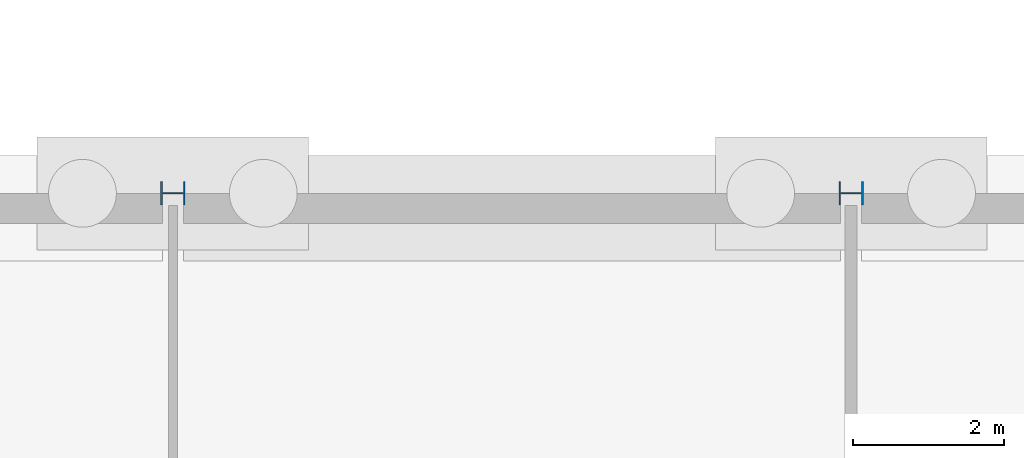
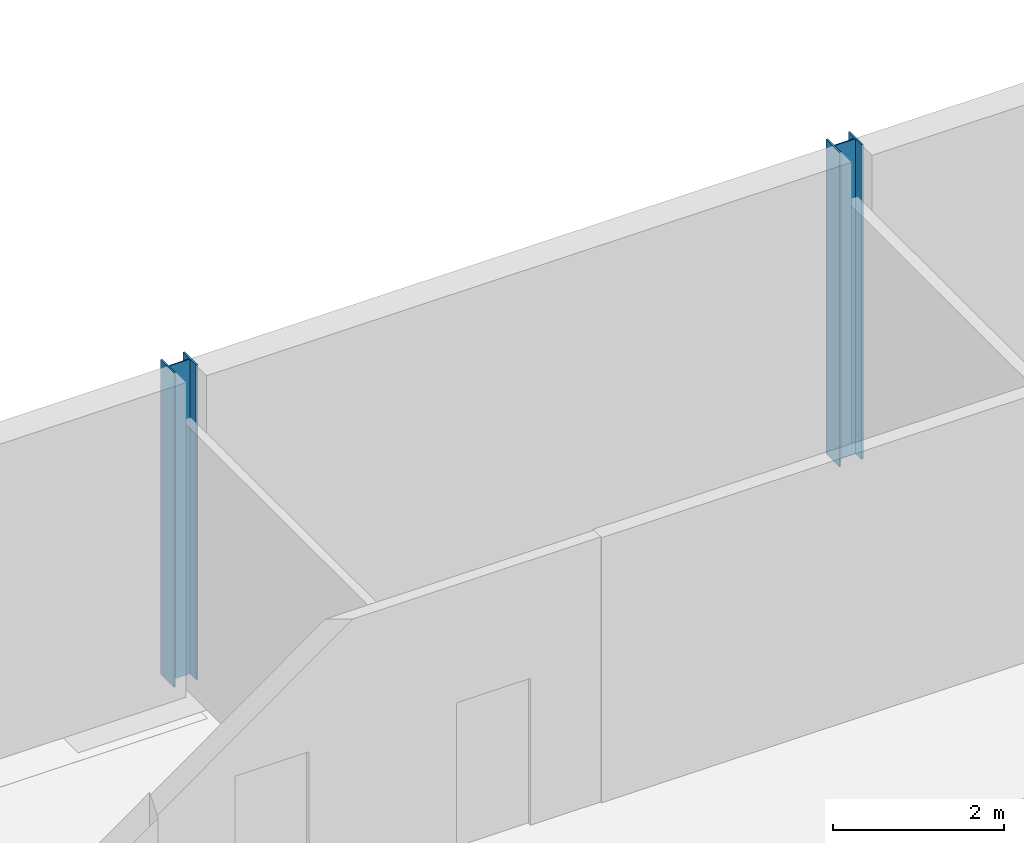
# One storey, part 10 of 41: 2 columns.
"""IFC4 building model written with IfcOpenShell, lengths in metres."""

from ifc_helpers import new_model, si_unit, direction, frame, origin, origin_2d, place, context, subcontext, project, spatial, i_section, extrude, material, material_profile, profile_set, type_object, element, save


model = new_model("IFC4")

# Units and contexts
model_context = context("Model", 3, precision=1e-05, world=origin(), true_north=direction((0.0, 1.0)))
body_context = subcontext(model_context, "Body", "Model", "MODEL_VIEW")
ifc_project = project(units=[si_unit("LENGTHUNIT", "METRE"), si_unit("AREAUNIT", "SQUARE_METRE"), si_unit("VOLUMEUNIT", "CUBIC_METRE"), si_unit("PLANEANGLEUNIT", "RADIAN"), si_unit("MASSUNIT", "GRAM", prefix="KILO")], contexts=[model_context])

# Site, building, storey
site_placement = place(None, origin())
site = spatial("IfcSite", under=ifc_project, at=site_placement, CompositionType="ELEMENT")
building_placement = place(site_placement, origin())
building = spatial("IfcBuilding", under=site, at=building_placement, Name="Corbel Yard City Hall", CompositionType="ELEMENT")
storey_placement = place(building_placement, frame((0.0, 0.0, -4.5)))
storey = spatial("IfcBuildingStorey", under=building, at=storey_placement, Name="B1", CompositionType="ELEMENT", Elevation=-4.5)

# Columns
ifc_material = material(Name="Steel Grade 300 (300 MPa yield)", Category="steel")
ifc_material_profile = material_profile(ifc_material, i_section(OverallWidth=0.31103515625, OverallDepth=0.326904296875, WebThickness=0.015625, FlangeThickness=0.02490234375, at=origin_2d()), Name="310UC158")
ifc_profile_set = profile_set([ifc_material_profile], Name="Steel Grade 300 (300 MPa yield)")
column_type = type_object("IfcColumnType", Name="Column 310UC158", PredefinedType="COLUMN", material=ifc_profile_set)
for number, where, z_axis, x_axis, name in (
    (1, (153.0, 117.0, 0.0), (0.0, 0.0, 1.0), (0.0, 1.0, 0.0), "Column 310UC158 N/18 B1"),
    (2, (162.0, 117.0, 0.0), (0.0, 0.0, 1.0), (0.0, 1.0, 0.0), "Column 310UC158 N/19 B1"),
):
    element("IfcColumn", number, at=place(storey_placement, frame(where, z_axis=z_axis, x_axis=x_axis)), inside=storey, type_object=column_type, Name=name, PredefinedType="COLUMN", context=body_context, shape_type="SweptSolid", body=[
        extrude(i_section(OverallWidth=0.31103515625, OverallDepth=0.326904296875, WebThickness=0.015625, FlangeThickness=0.02490234375, at=origin_2d()), origin(), (0.0, 0.0, 1.0), 4.5),
    ])

save(model, "model.ifc")
